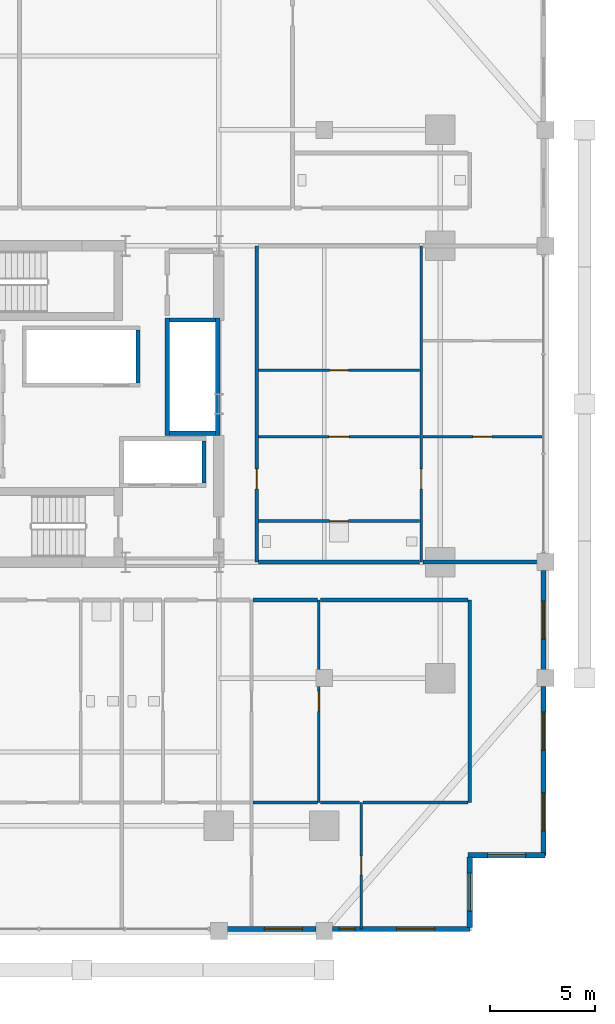
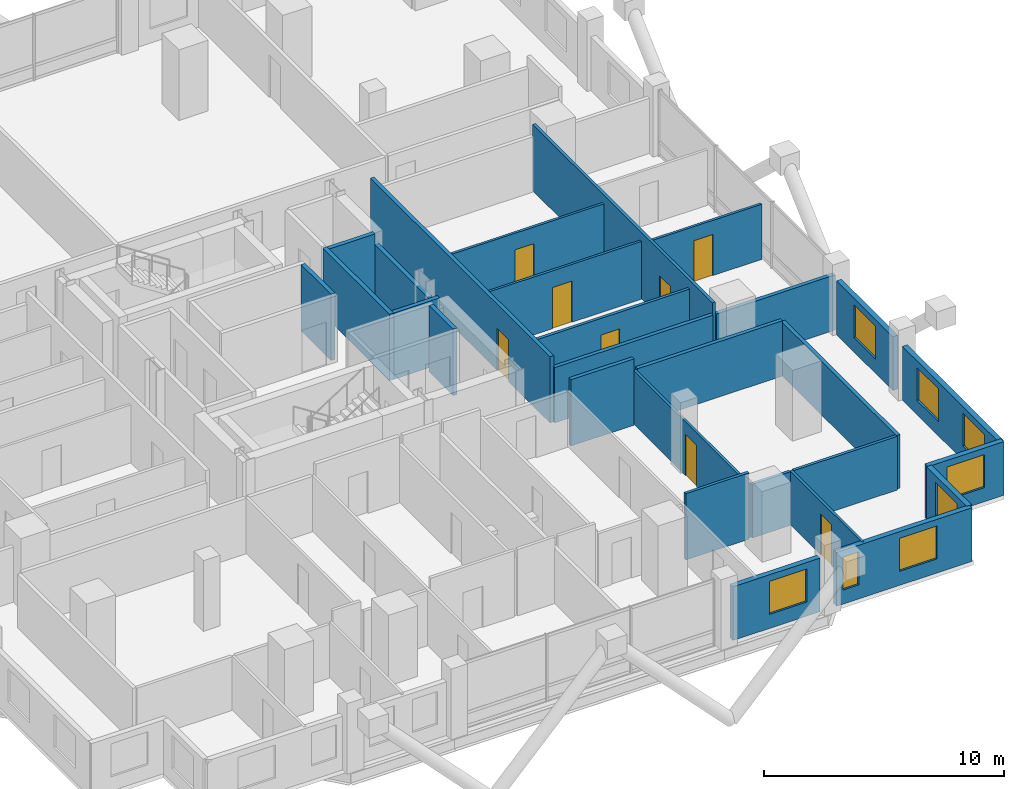
# One storey, part 19 of 23: 28 walls, 8 doors, 8 windows, 16 openings.
"""IFC4 building model written with IfcOpenShell, lengths in metres."""

from ifc_helpers import new_model, si_unit, direction, frame, frame_2d, origin, place, context, subcontext, project, spatial, rectangle, extrude, material, layer, layer_set, type_object, element, fill, save


model = new_model("IFC4")

# Units and contexts
model_context = context("Model", 3, precision=1e-05, world=origin(), true_north=direction((0.0, 1.0)))
body_context = subcontext(model_context, "Body", "Model", "MODEL_VIEW")
ifc_project = project(units=[si_unit("LENGTHUNIT", "METRE"), si_unit("AREAUNIT", "SQUARE_METRE"), si_unit("VOLUMEUNIT", "CUBIC_METRE"), si_unit("PLANEANGLEUNIT", "RADIAN"), si_unit("MASSUNIT", "GRAM", prefix="KILO")], contexts=[model_context])

# Site, building, storey
site_placement = place(None, origin())
site = spatial("IfcSite", under=ifc_project, at=site_placement, CompositionType="ELEMENT")
building_placement = place(site_placement, origin())
building = spatial("IfcBuilding", under=site, at=building_placement, Name="Barlavira Tower and Art Museum", CompositionType="ELEMENT")
storey_placement = place(building_placement, frame((0.0, 0.0, 36.0)))
storey = spatial("IfcBuildingStorey", under=building, at=storey_placement, Name="L07", CompositionType="ELEMENT", Elevation=36.0)

# Wall, opening, door
ifc_material_1 = material(Name="Gypsum acoustic stud partition", Category="gypsum")
ifc_layer_1 = layer(ifc_material_1, 0.1201171875, Name="Gypsum acoustic stud partition")
ifc_layer_set_1 = layer_set([ifc_layer_1], Name="Gypsum acoustic stud partition")
wall_type_1 = type_object("IfcWallType", Name="Apartment Internal Acoustic Partition 120", PredefinedType="PARTITIONING", material=ifc_layer_set_1)
wall_1_placement = place(storey_placement, frame((11.25, -18.89990234375, 0.0), z_axis=(0.0, 0.0, 1.0), x_axis=(0.0, 1.0, 0.0)))
wall_1 = element("IfcWall", 1, at=wall_1_placement, inside=storey, type_object=wall_type_1, Name="L07 Partition Wall 16", PredefinedType="PARTITIONING", context=body_context, shape_type="SweptSolid", body=[
    extrude(rectangle(XDim=9.599853515625, YDim=0.1201171875, at=frame_2d((4.7998046875, 0.0))), origin(), (0.0, 0.0, 1.0), 2.736083984375),
])
opening_1_placement = place(wall_1_placement, frame((4.324951171875, 0.0, 0.0)))
opening_1 = element("IfcOpeningElement", 2, at=opening_1_placement, cuts=wall_1, Name="Opening D-02", PredefinedType="OPENING", context=body_context, shape_type="SweptSolid", body=[
    extrude(rectangle(XDim=0.949951171875, YDim=2.10009765625, at=frame_2d((0.47509765625, 1.050048828125))), frame((0.0, 0.070068359375, 0.0), z_axis=(0.0, -1.0, 0.0), x_axis=(1.0, 0.0, 0.0)), (0.0, 0.0, 1.0), 0.14013671875),
])
ifc_material_2 = material(Name="Engineered coastal hardwood", Category="wood")
door_type_1 = type_object("IfcDoorType", Name="Living and Salon Glazed-Leaf Door 950x2100", OperationType="NOTDEFINED", PredefinedType="DOOR", material=ifc_material_2)
door_1_placement = place(opening_1_placement, origin())
door_1 = element("IfcDoor", 3, at=door_1_placement, inside=storey, type_object=door_type_1, Name="Apartment S2 Dining Salon Door", OperationType="SINGLE_SWING_LEFT", OverallHeight=2.10009765625, OverallWidth=0.949951171875, PredefinedType="DOOR", context=body_context, shape_type="SweptSolid", body=[
    extrude(rectangle(XDim=0.949951171875, YDim=2.10009765625, at=frame_2d((0.47509765625, 1.050048828125))), frame((0.0, 0.02490234375, 0.0), z_axis=(0.0, -1.0, 0.0), x_axis=(1.0, 0.0, 0.0)), (0.0, 0.0, 1.0), 0.050048828125),
])
fill(opening_1, door_1)

wall_2_placement = place(storey_placement, frame((13.25, -24.89990234375, 0.0), z_axis=(0.0, 0.0, 1.0), x_axis=(0.0, 1.0, 0.0)))
wall_2 = element("IfcWall", 4, at=wall_2_placement, inside=storey, type_object=wall_type_1, Name="L07 Partition Wall 17", PredefinedType="PARTITIONING", context=body_context, shape_type="SweptSolid", body=[
    extrude(rectangle(XDim=6.0, YDim=0.1201171875, at=frame_2d((3.0, 0.0))), origin(), (0.0, 0.0, 1.0), 2.736083984375),
])
opening_2_placement = place(wall_2_placement, frame((2.550048828125, 0.0, 0.0)))
opening_2 = element("IfcOpeningElement", 5, at=opening_2_placement, cuts=wall_2, Name="Opening D-01", PredefinedType="OPENING", context=body_context, shape_type="SweptSolid", body=[
    extrude(rectangle(XDim=0.89990234375, YDim=2.10009765625, at=frame_2d((0.449951171875, 1.050048828125))), frame((0.0, 0.070068359375, 0.0), z_axis=(0.0, -1.0, 0.0), x_axis=(1.0, 0.0, 0.0)), (0.0, 0.0, 1.0), 0.14013671875),
])
door_type_2 = type_object("IfcDoorType", Name="Internal Bedroom Timber Flush Door 900x2100", OperationType="NOTDEFINED", PredefinedType="DOOR", material=ifc_material_2)
door_2_placement = place(opening_2_placement, origin())
door_2 = element("IfcDoor", 6, at=door_2_placement, inside=storey, type_object=door_type_2, Name="Apartment S2 Bedroom 2 Door", OperationType="SINGLE_SWING_RIGHT", OverallHeight=2.10009765625, OverallWidth=0.89990234375, PredefinedType="DOOR", context=body_context, shape_type="SweptSolid", body=[
    extrude(rectangle(XDim=0.89990234375, YDim=2.10009765625, at=frame_2d((0.449951171875, 1.050048828125))), frame((0.0, 0.02490234375, 0.0), z_axis=(0.0, -1.0, 0.0), x_axis=(1.0, 0.0, 0.0)), (0.0, 0.0, 1.0), 0.050048828125),
])
fill(opening_2, door_2)

wall_3_placement = place(storey_placement, frame((8.3798828125, -1.550048828125, 0.0), z_axis=(0.0, 0.0, 1.0), x_axis=(1.0, 0.0, 0.0)))
wall_3 = element("IfcWall", 7, at=wall_3_placement, inside=storey, type_object=wall_type_1, Name="L07 Partition Wall 47", PredefinedType="PARTITIONING", context=body_context, shape_type="SweptSolid", body=[
    extrude(rectangle(XDim=7.64013671875, YDim=0.1201171875, at=frame_2d((3.820068359375, 0.0))), origin(), (0.0, 0.0, 1.0), 2.947998046875),
])
opening_3_placement = place(wall_3_placement, frame((3.344970703125, 0.0, 0.0)))
opening_3 = element("IfcOpeningElement", 8, at=opening_3_placement, cuts=wall_3, Name="Opening D-02", PredefinedType="OPENING", context=body_context, shape_type="SweptSolid", body=[
    extrude(rectangle(XDim=0.949951171875, YDim=2.10009765625, at=frame_2d((0.47509765625, 1.050048828125))), frame((0.0, 0.070068359375, 0.0), z_axis=(0.0, -1.0, 0.0), x_axis=(1.0, 0.0, 0.0)), (0.0, 0.0, 1.0), 0.14013671875),
])
door_3_placement = place(opening_3_placement, origin())
door_3 = element("IfcDoor", 9, at=door_3_placement, inside=storey, type_object=door_type_1, Name="Apartment E1 Kitchen Door", OperationType="SINGLE_SWING_LEFT", OverallHeight=2.10009765625, OverallWidth=0.949951171875, PredefinedType="DOOR", context=body_context, shape_type="SweptSolid", body=[
    extrude(rectangle(XDim=0.949951171875, YDim=2.10009765625, at=frame_2d((0.47509765625, 1.050048828125))), frame((0.0, 0.02490234375, 0.0), z_axis=(0.0, -1.0, 0.0), x_axis=(1.0, 0.0, 0.0)), (0.0, 0.0, 1.0), 0.050048828125),
])
fill(opening_3, door_3)

wall_4_placement = place(storey_placement, frame((16.179931640625, -1.550048828125, 0.0), z_axis=(0.0, 0.0, 1.0), x_axis=(1.0, 0.0, 0.0)))
wall_4 = element("IfcWall", 10, at=wall_4_placement, inside=storey, type_object=wall_type_1, Name="L07 Partition Wall 48", PredefinedType="PARTITIONING", context=body_context, shape_type="SweptSolid", body=[
    extrude(rectangle(XDim=5.64013671875, YDim=0.1201171875, at=frame_2d((2.820068359375, 0.0))), origin(), (0.0, 0.0, 1.0), 2.81591796875),
])
opening_4_placement = place(wall_4_placement, frame((2.3701171875, 0.0, 0.0)))
opening_4 = element("IfcOpeningElement", 11, at=opening_4_placement, cuts=wall_4, Name="Opening D-01", PredefinedType="OPENING", context=body_context, shape_type="SweptSolid", body=[
    extrude(rectangle(XDim=0.89990234375, YDim=2.10009765625, at=frame_2d((0.449951171875, 1.050048828125))), frame((0.0, 0.070068359375, 0.0), z_axis=(0.0, -1.0, 0.0), x_axis=(1.0, 0.0, 0.0)), (0.0, 0.0, 1.0), 0.14013671875),
])
door_4_placement = place(opening_4_placement, origin())
door_4 = element("IfcDoor", 12, at=door_4_placement, inside=storey, type_object=door_type_2, Name="Apartment E1 Bedroom 1 Door", OperationType="SINGLE_SWING_RIGHT", OverallHeight=2.10009765625, OverallWidth=0.89990234375, PredefinedType="DOOR", context=body_context, shape_type="SweptSolid", body=[
    extrude(rectangle(XDim=0.89990234375, YDim=2.10009765625, at=frame_2d((0.449951171875, 1.050048828125))), frame((0.0, 0.02490234375, 0.0), z_axis=(0.0, -1.0, 0.0), x_axis=(1.0, 0.0, 0.0)), (0.0, 0.0, 1.0), 0.050048828125),
])
fill(opening_4, door_4)

wall_5_placement = place(storey_placement, frame((8.3798828125, 1.60009765625, 0.0), z_axis=(0.0, 0.0, 1.0), x_axis=(1.0, 0.0, 0.0)))
wall_5 = element("IfcWall", 13, at=wall_5_placement, inside=storey, type_object=wall_type_1, Name="L07 Partition Wall 52", PredefinedType="PARTITIONING", context=body_context, shape_type="SweptSolid", body=[
    extrude(rectangle(XDim=7.64013671875, YDim=0.1201171875, at=frame_2d((3.820068359375, 0.0))), origin(), (0.0, 0.0, 1.0), 2.947998046875),
])
opening_5_placement = place(wall_5_placement, frame((3.3701171875, 0.0, 0.0)))
opening_5 = element("IfcOpeningElement", 14, at=opening_5_placement, cuts=wall_5, Name="Opening D-01", PredefinedType="OPENING", context=body_context, shape_type="SweptSolid", body=[
    extrude(rectangle(XDim=0.89990234375, YDim=2.10009765625, at=frame_2d((0.449951171875, 1.050048828125))), frame((0.0, 0.070068359375, 0.0), z_axis=(0.0, -1.0, 0.0), x_axis=(1.0, 0.0, 0.0)), (0.0, 0.0, 1.0), 0.14013671875),
])
door_5_placement = place(opening_5_placement, origin())
door_5 = element("IfcDoor", 15, at=door_5_placement, inside=storey, type_object=door_type_2, Name="Apartment E1 Walk-In Dressing Room Door", OperationType="SINGLE_SWING_RIGHT", OverallHeight=2.10009765625, OverallWidth=0.89990234375, PredefinedType="DOOR", context=body_context, shape_type="SweptSolid", body=[
    extrude(rectangle(XDim=0.89990234375, YDim=2.10009765625, at=frame_2d((0.449951171875, 1.050048828125))), frame((0.0, 0.02490234375, 0.0), z_axis=(0.0, -1.0, 0.0), x_axis=(1.0, 0.0, 0.0)), (0.0, 0.0, 1.0), 0.050048828125),
])
fill(opening_5, door_5)

# Walls
ifc_material_3 = material(Name="Autoclaved aerated concrete masonry", Category="masonry")
ifc_layer_2 = layer(ifc_material_3, 0.199951171875, Name="Autoclaved aerated concrete masonry")
ifc_layer_set_2 = layer_set([ifc_layer_2], Name="Autoclaved aerated concrete masonry")
wall_type_2 = type_object("IfcWallType", Name="Fire Compartment and Shaft Wall 200", PredefinedType="SOLIDWALL", material=ifc_layer_set_2)
wall_6_placement = place(storey_placement, frame((4.050048828125, -1.489990234375, 0.0), z_axis=(0.0, 0.0, 1.0), x_axis=(0.0, 1.0, 0.0)))
element("IfcWall", 16, at=wall_6_placement, inside=storey, type_object=wall_type_2, Name="L07 Mid-Rise Lift Front Shaft Wall", PredefinedType="SOLIDWALL", context=body_context, shape_type="SweptSolid", body=[
    extrude(rectangle(XDim=5.580078125, YDim=0.199951171875, at=frame_2d((2.7900390625, 0.0))), origin(), (0.0, 0.0, 1.0), 3.3798828125),
])
wall_7_placement = place(storey_placement, frame((6.449951171875, -1.489990234375, 0.0), z_axis=(0.0, 0.0, 1.0), x_axis=(0.0, 1.0, 0.0)))
element("IfcWall", 17, at=wall_7_placement, inside=storey, type_object=wall_type_2, Name="L07 Mid-Rise Lift Back Shaft Wall", PredefinedType="SOLIDWALL", context=body_context, shape_type="SweptSolid", body=[
    extrude(rectangle(XDim=5.580078125, YDim=0.199951171875, at=frame_2d((2.7900390625, 0.0))), origin(), (0.0, 0.0, 1.0), 2.81591796875),
])
for number, where, z_axis, x_axis, name in (
    (18, (4.14990234375, -1.389892578125, 0.0), (0.0, 0.0, 1.0), (1.0, 0.0, 0.0), "L07 Mid-Rise Lift South Shaft Wall"),
    (19, (4.14990234375, 3.989990234375, 0.0), (0.0, 0.0, 1.0), (1.0, 0.0, 0.0), "L07 Mid-Rise Lift North Shaft Wall"),
):
    element("IfcWall", number, at=place(storey_placement, frame(where, z_axis=z_axis, x_axis=x_axis)), inside=storey, type_object=wall_type_2, Name=name, PredefinedType="SOLIDWALL", context=body_context, shape_type="SweptSolid", body=[
        extrude(rectangle(XDim=2.2001953125, YDim=0.199951171875, at=frame_2d((1.10009765625, 0.0))), origin(), (0.0, 0.0, 1.0), 3.3798828125),
    ])
wall_8_placement = place(storey_placement, frame((2.659912109375, 1.0, 0.0), z_axis=(0.0, 0.0, 1.0), x_axis=(0.0, 1.0, 0.0)))
element("IfcWall", 20, at=wall_8_placement, inside=storey, type_object=wall_type_2, Name="L07 High-Rise & Service Lift East Wall", PredefinedType="SOLIDWALL", context=body_context, shape_type="SweptSolid", body=[
    extrude(rectangle(XDim=2.5, YDim=0.199951171875, at=frame_2d((1.25, 0.0))), origin(), (0.0, 0.0, 1.0), 3.3798828125),
])
wall_9_placement = place(storey_placement, frame((5.800048828125, -3.75, 0.0), z_axis=(0.0, 0.0, 1.0), x_axis=(0.0, 1.0, 0.0)))
element("IfcWall", 21, at=wall_9_placement, inside=storey, type_object=wall_type_2, Name="L07 Firefighting Lift East Shaft Wall", PredefinedType="SOLIDWALL", context=body_context, shape_type="SweptSolid", body=[
    extrude(rectangle(XDim=2.0, YDim=0.199951171875, at=frame_2d((1.0, 0.0))), origin(), (0.0, 0.0, 1.0), 3.3798828125),
])

# Wall, opening, door
ifc_layer_3 = layer(ifc_material_1, 0.179931640625, Name="Gypsum acoustic stud partition")
ifc_layer_set_3 = layer_set([ifc_layer_3], Name="Gypsum acoustic stud partition")
wall_type_3 = type_object("IfcWallType", Name="Inter-Tenancy Party Partition Wall 180", PredefinedType="PARTITIONING", material=ifc_layer_set_3)
wall_10_placement = place(storey_placement, frame((8.300048828125, -7.5, 0.0), z_axis=(0.0, 0.0, 1.0), x_axis=(0.0, 1.0, 0.0)))
wall_10 = element("IfcWall", 22, at=wall_10_placement, inside=storey, type_object=wall_type_3, Name="L07 Partition Wall 14", PredefinedType="PARTITIONING", context=body_context, shape_type="SweptSolid", body=[
    extrude(rectangle(XDim=15.0, YDim=0.179931640625, at=frame_2d((7.5, 0.0))), origin(), (0.0, 0.0, 1.0), 3.3798828125),
])
opening_6_placement = place(wall_10_placement, frame((3.47509765625, 0.0, 0.0)))
opening_6 = element("IfcOpeningElement", 23, at=opening_6_placement, cuts=wall_10, Name="Opening FD-60", PredefinedType="OPENING", context=body_context, shape_type="SweptSolid", body=[
    extrude(rectangle(XDim=0.949951171875, YDim=2.14990234375, at=frame_2d((0.47509765625, 1.074951171875))), frame((0.0, 0.10009765625, 0.0), z_axis=(0.0, -1.0, 0.0), x_axis=(1.0, 0.0, 0.0)), (0.0, 0.0, 1.0), 0.199951171875),
])
ifc_material_4 = material(Name="Brushed stainless steel", Category="steel")
door_type_3 = type_object("IfcDoorType", Name="Apartment Entrance and Riser Fire Door 950x2150 FD60S", OperationType="NOTDEFINED", PredefinedType="DOOR", material=ifc_material_4)
door_6_placement = place(opening_6_placement, origin())
door_6 = element("IfcDoor", 24, at=door_6_placement, inside=storey, type_object=door_type_3, Name="Apartment Entrance Hall E1 Door", OperationType="SINGLE_SWING_RIGHT", OverallHeight=2.14990234375, OverallWidth=0.949951171875, PredefinedType="DOOR", context=body_context, shape_type="SweptSolid", body=[
    extrude(rectangle(XDim=0.949951171875, YDim=2.14990234375, at=frame_2d((0.47509765625, 1.074951171875))), frame((0.0, 0.02490234375, 0.0), z_axis=(0.0, -1.0, 0.0), x_axis=(1.0, 0.0, 0.0)), (0.0, 0.0, 1.0), 0.050048828125),
])
fill(opening_6, door_6)

# Walls
wall_11_placement = place(storey_placement, frame((18.39990234375, -18.89990234375, 0.0), z_axis=(0.0, 0.0, 1.0), x_axis=(0.0, 1.0, 0.0)))
element("IfcWall", 25, at=wall_11_placement, inside=storey, type_object=wall_type_3, Name="L07 Partition Wall 19", PredefinedType="PARTITIONING", context=body_context, shape_type="SweptSolid", body=[
    extrude(rectangle(XDim=9.599853515625, YDim=0.179931640625, at=frame_2d((4.7998046875, 0.0))), origin(), (0.0, 0.0, 1.0), 2.736083984375),
])
wall_12_placement = place(storey_placement, frame((8.1298828125, -9.300048828125, 0.0), z_axis=(0.0, 0.0, 1.0), x_axis=(1.0, 0.0, 0.0)))
element("IfcWall", 26, at=wall_12_placement, inside=storey, type_object=wall_type_3, Name="L07 Partition Wall 38", PredefinedType="PARTITIONING", context=body_context, shape_type="SweptSolid", body=[
    extrude(rectangle(XDim=3.0400390625, YDim=0.179931640625, at=frame_2d((1.52001953125, 0.0))), origin(), (0.0, 0.0, 1.0), 3.3798828125),
])
wall_13_placement = place(storey_placement, frame((11.330078125, -9.300048828125, 0.0), z_axis=(0.0, 0.0, 1.0), x_axis=(1.0, 0.0, 0.0)))
element("IfcWall", 27, at=wall_13_placement, inside=storey, type_object=wall_type_3, Name="L07 Partition Wall 39", PredefinedType="PARTITIONING", context=body_context, shape_type="SweptSolid", body=[
    extrude(rectangle(XDim=6.989990234375, YDim=0.179931640625, at=frame_2d((3.4951171875, 0.0))), origin(), (0.0, 0.0, 1.0), 2.81591796875),
])
wall_14_placement = place(storey_placement, frame((8.3798828125, -7.5, 0.0), z_axis=(0.0, 0.0, 1.0), x_axis=(1.0, 0.0, 0.0)))
element("IfcWall", 28, at=wall_14_placement, inside=storey, type_object=wall_type_3, Name="L07 Partition Wall 42", PredefinedType="PARTITIONING", context=body_context, shape_type="SweptSolid", body=[
    extrude(rectangle(XDim=7.64013671875, YDim=0.179931640625, at=frame_2d((3.820068359375, 0.0))), origin(), (0.0, 0.0, 1.0), 2.81591796875),
])
wall_15_placement = place(storey_placement, frame((16.179931640625, -7.5, 0.0), z_axis=(0.0, 0.0, 1.0), x_axis=(1.0, 0.0, 0.0)))
element("IfcWall", 29, at=wall_15_placement, inside=storey, type_object=wall_type_3, Name="L07 Partition Wall 43", PredefinedType="PARTITIONING", context=body_context, shape_type="SweptSolid", body=[
    extrude(rectangle(XDim=5.719970703125, YDim=0.179931640625, at=frame_2d((2.85986328125, 0.0))), origin(), (0.0, 0.0, 1.0), 2.81591796875),
])

# Wall, opening, door
ifc_layer_4 = layer(ifc_material_1, 0.139892578125, Name="Gypsum acoustic stud partition")
ifc_layer_set_4 = layer_set([ifc_layer_4], Name="Gypsum acoustic stud partition")
wall_type_4 = type_object("IfcWallType", Name="Moisture-Resistant Bathroom Partition 140", PredefinedType="PARTITIONING", material=ifc_layer_set_4)
wall_16_placement = place(storey_placement, frame((16.10009765625, -7.5, 0.0), z_axis=(0.0, 0.0, 1.0), x_axis=(0.0, 1.0, 0.0)))
wall_16 = element("IfcWall", 30, at=wall_16_placement, inside=storey, type_object=wall_type_4, Name="L07 Partition Wall 18", PredefinedType="PARTITIONING", context=body_context, shape_type="SweptSolid", body=[
    extrude(rectangle(XDim=15.0, YDim=0.139892578125, at=frame_2d((7.5, 0.0))), origin(), (0.0, 0.0, 1.0), 3.3798828125),
])
opening_7_placement = place(wall_16_placement, frame((3.47509765625, 0.0, 0.0)))
opening_7 = element("IfcOpeningElement", 31, at=opening_7_placement, cuts=wall_16, Name="Opening D-02", PredefinedType="OPENING", context=body_context, shape_type="SweptSolid", body=[
    extrude(rectangle(XDim=0.949951171875, YDim=2.10009765625, at=frame_2d((0.47509765625, 1.050048828125))), frame((0.0, 0.080078125, 0.0), z_axis=(0.0, -1.0, 0.0), x_axis=(1.0, 0.0, 0.0)), (0.0, 0.0, 1.0), 0.159912109375),
])
door_7_placement = place(opening_7_placement, origin())
door_7 = element("IfcDoor", 32, at=door_7_placement, inside=storey, type_object=door_type_1, Name="Apartment E1 Living Lounge Door", OperationType="SINGLE_SWING_LEFT", OverallHeight=2.10009765625, OverallWidth=0.949951171875, PredefinedType="DOOR", context=body_context, shape_type="SweptSolid", body=[
    extrude(rectangle(XDim=0.949951171875, YDim=2.10009765625, at=frame_2d((0.47509765625, 1.050048828125))), frame((0.0, 0.02490234375, 0.0), z_axis=(0.0, -1.0, 0.0), x_axis=(1.0, 0.0, 0.0)), (0.0, 0.0, 1.0), 0.050048828125),
])
fill(opening_7, door_7)

# Walls
wall_17_placement = place(storey_placement, frame((8.1298828125, -18.89990234375, 0.0), z_axis=(0.0, 0.0, 1.0), x_axis=(1.0, 0.0, 0.0)))
element("IfcWall", 33, at=wall_17_placement, inside=storey, type_object=wall_type_4, Name="L07 Partition Wall 29", PredefinedType="PARTITIONING", context=body_context, shape_type="SweptSolid", body=[
    extrude(rectangle(XDim=3.0400390625, YDim=0.139892578125, at=frame_2d((1.52001953125, 0.0))), origin(), (0.0, 0.0, 1.0), 3.3798828125),
])
wall_18_placement = place(storey_placement, frame((11.330078125, -18.89990234375, 0.0), z_axis=(0.0, 0.0, 1.0), x_axis=(1.0, 0.0, 0.0)))
element("IfcWall", 34, at=wall_18_placement, inside=storey, type_object=wall_type_4, Name="L07 Partition Wall 30", PredefinedType="PARTITIONING", context=body_context, shape_type="SweptSolid", body=[
    extrude(rectangle(XDim=1.83984375, YDim=0.139892578125, at=frame_2d((0.919921875, 0.0))), origin(), (0.0, 0.0, 1.0), 2.736083984375),
])
wall_19_placement = place(storey_placement, frame((13.330078125, -18.89990234375, 0.0), z_axis=(0.0, 0.0, 1.0), x_axis=(1.0, 0.0, 0.0)))
element("IfcWall", 35, at=wall_19_placement, inside=storey, type_object=wall_type_4, Name="L07 Partition Wall 31", PredefinedType="PARTITIONING", context=body_context, shape_type="SweptSolid", body=[
    extrude(rectangle(XDim=4.989990234375, YDim=0.139892578125, at=frame_2d((2.4951171875, 0.0))), origin(), (0.0, 0.0, 1.0), 2.736083984375),
])

# Wall, opening, door
wall_20_placement = place(storey_placement, frame((8.3798828125, -5.550048828125, 0.0), z_axis=(0.0, 0.0, 1.0), x_axis=(1.0, 0.0, 0.0)))
wall_20 = element("IfcWall", 36, at=wall_20_placement, inside=storey, type_object=wall_type_4, Name="L07 Partition Wall 45", PredefinedType="PARTITIONING", context=body_context, shape_type="SweptSolid", body=[
    extrude(rectangle(XDim=7.64013671875, YDim=0.139892578125, at=frame_2d((3.820068359375, 0.0))), origin(), (0.0, 0.0, 1.0), 2.947998046875),
])
opening_8_placement = place(wall_20_placement, frame((3.3701171875, 0.0, 0.0)))
opening_8 = element("IfcOpeningElement", 37, at=opening_8_placement, cuts=wall_20, Name="Opening D-WC", PredefinedType="OPENING", context=body_context, shape_type="SweptSolid", body=[
    extrude(rectangle(XDim=0.89990234375, YDim=2.10009765625, at=frame_2d((0.449951171875, 1.050048828125))), frame((0.0, 0.080078125, 0.0), z_axis=(0.0, -1.0, 0.0), x_axis=(1.0, 0.0, 0.0)), (0.0, 0.0, 1.0), 0.159912109375),
])
door_type_4 = type_object("IfcDoorType", Name="Accessible Bathroom Flush Door 900x2100", OperationType="NOTDEFINED", PredefinedType="DOOR", material=ifc_material_2)
door_8_placement = place(opening_8_placement, origin())
door_8 = element("IfcDoor", 38, at=door_8_placement, inside=storey, type_object=door_type_4, Name="Apartment E1 Hall Bathroom Door", OperationType="SINGLE_SWING_LEFT", OverallHeight=2.10009765625, OverallWidth=0.89990234375, PredefinedType="DOOR", context=body_context, shape_type="SweptSolid", body=[
    extrude(rectangle(XDim=0.89990234375, YDim=2.10009765625, at=frame_2d((0.449951171875, 1.050048828125))), frame((0.0, 0.02490234375, 0.0), z_axis=(0.0, -1.0, 0.0), x_axis=(1.0, 0.0, 0.0)), (0.0, 0.0, 1.0), 0.050048828125),
])
fill(opening_8, door_8)

# Wall, opening, window
ifc_material_5 = material(Name="Precast concrete C40", Category="concrete")
ifc_layer_5 = layer(ifc_material_5, 0.25, Name="Precast concrete C40")
ifc_layer_set_5 = layer_set([ifc_layer_5], Name="Precast concrete C40")
wall_type_5 = type_object("IfcWallType", Name="Notched Corner Spandrel Wall 250 Precast Concrete C40", PredefinedType="SOLIDWALL", material=ifc_layer_set_5)
wall_21_placement = place(storey_placement, frame((6.89501953125, -24.89990234375, 0.0), z_axis=(0.0, 0.0, 1.0), x_axis=(1.0, 0.0, 0.0)))
wall_21 = element("IfcWall", 39, at=wall_21_placement, inside=storey, type_object=wall_type_5, Name="L07 Coastal Facade Pier Wall CW1-L07-S-4", PredefinedType="SOLIDWALL", context=body_context, shape_type="SweptSolid", body=[
    extrude(rectangle(XDim=4.2099609375, YDim=0.25, at=frame_2d((2.10498046875, 0.0))), origin(), (0.0, 0.0, 1.0), 2.736083984375),
])
opening_9_placement = place(wall_21_placement, frame((1.77001953125, 0.0, 0.719970703125)))
opening_9 = element("IfcOpeningElement", 40, at=opening_9_placement, cuts=wall_21, Name="Opening WN-01", PredefinedType="OPENING", context=body_context, shape_type="SweptSolid", body=[
    extrude(rectangle(XDim=1.800048828125, YDim=1.679931640625, at=frame_2d((0.89990234375, 0.83984375))), frame((0.0, 0.135009765625, 0.0), z_axis=(0.0, -1.0, 0.0), x_axis=(1.0, 0.0, 0.0)), (0.0, 0.0, 1.0), 0.27001953125),
])
ifc_material_6 = material(Name="Low-iron coastal laminated glass", Category="glass")
window_type_1 = type_object("IfcWindowType", Name="Recessed Notch Corner Punch Window 1800x1680", PartitioningType="SINGLE_PANEL", PredefinedType="WINDOW", material=ifc_material_6)
window_1_placement = place(opening_9_placement, origin())
window_1 = element("IfcWindow", 41, at=window_1_placement, inside=storey, type_object=window_type_1, Name="L07 Punched Facade Window EWP-CW1-L07-S-4-1", OverallHeight=1.679931640625, OverallWidth=1.800048828125, PartitioningType="SINGLE_PANEL", PredefinedType="WINDOW", context=body_context, shape_type="SweptSolid", body=[
    extrude(rectangle(XDim=1.800048828125, YDim=1.679931640625, at=frame_2d((0.89990234375, 0.83984375))), frame((0.0, 0.030029296875, 0.0), z_axis=(0.0, -1.0, 0.0), x_axis=(1.0, 0.0, 0.0)), (0.0, 0.0, 1.0), 0.06005859375),
])
fill(opening_9, window_1)

# Wall, openings, windows
wall_22_placement = place(storey_placement, frame((11.89501953125, -24.89990234375, 0.0), z_axis=(0.0, 0.0, 1.0), x_axis=(1.0, 0.0, 0.0)))
wall_22 = element("IfcWall", 42, at=wall_22_placement, inside=storey, type_object=wall_type_5, Name="L07 Coastal Facade Pier Wall CW1-L07-S-5", PredefinedType="SOLIDWALL", context=body_context, shape_type="SweptSolid", body=[
    extrude(rectangle(XDim=6.530029296875, YDim=0.25, at=frame_2d((3.26513671875, 0.0))), origin(), (0.0, 0.0, 1.0), 2.736083984375),
])
opening_10_placement = place(wall_22_placement, frame((0.31494140625, 0.0, 0.719970703125)))
opening_10 = element("IfcOpeningElement", 43, at=opening_10_placement, cuts=wall_22, Name="Opening WN-06", PredefinedType="OPENING", context=body_context, shape_type="SweptSolid", body=[
    extrude(rectangle(XDim=0.760009765625, YDim=1.679931640625, at=frame_2d((0.3798828125, 0.83984375))), frame((0.0, 0.135009765625, 0.0), z_axis=(0.0, -1.0, 0.0), x_axis=(1.0, 0.0, 0.0)), (0.0, 0.0, 1.0), 0.27001953125),
])
opening_11_placement = place(wall_22_placement, frame((3.0380859375, 0.0, 0.719970703125)))
opening_11 = element("IfcOpeningElement", 44, at=opening_11_placement, cuts=wall_22, Name="Opening WN-01", PredefinedType="OPENING", context=body_context, shape_type="SweptSolid", body=[
    extrude(rectangle(XDim=1.800048828125, YDim=1.679931640625, at=frame_2d((0.89990234375, 0.83984375))), frame((0.0, 0.135009765625, 0.0), z_axis=(0.0, -1.0, 0.0), x_axis=(1.0, 0.0, 0.0)), (0.0, 0.0, 1.0), 0.27001953125),
])
window_type_2 = type_object("IfcWindowType", Name="Recessed Narrow Pier Window 760x1680", PartitioningType="SINGLE_PANEL", PredefinedType="WINDOW", material=ifc_material_6)
window_2_placement = place(opening_10_placement, origin())
window_2 = element("IfcWindow", 45, at=window_2_placement, inside=storey, type_object=window_type_2, Name="L07 Punched Facade Window EWP-CW1-L07-S-5-1", OverallHeight=1.679931640625, OverallWidth=0.760009765625, PartitioningType="SINGLE_PANEL", PredefinedType="WINDOW", context=body_context, shape_type="SweptSolid", body=[
    extrude(rectangle(XDim=0.760009765625, YDim=1.679931640625, at=frame_2d((0.3798828125, 0.83984375))), frame((0.0, 0.030029296875, 0.0), z_axis=(0.0, -1.0, 0.0), x_axis=(1.0, 0.0, 0.0)), (0.0, 0.0, 1.0), 0.06005859375),
])
fill(opening_10, window_2)
window_3_placement = place(opening_11_placement, origin())
window_3 = element("IfcWindow", 46, at=window_3_placement, inside=storey, type_object=window_type_1, Name="L07 Punched Facade Window EWP-CW1-L07-S-5-2", OverallHeight=1.679931640625, OverallWidth=1.800048828125, PartitioningType="SINGLE_PANEL", PredefinedType="WINDOW", context=body_context, shape_type="SweptSolid", body=[
    extrude(rectangle(XDim=1.800048828125, YDim=1.679931640625, at=frame_2d((0.89990234375, 0.83984375))), frame((0.0, 0.030029296875, 0.0), z_axis=(0.0, -1.0, 0.0), x_axis=(1.0, 0.0, 0.0)), (0.0, 0.0, 1.0), 0.06005859375),
])
fill(opening_11, window_3)

wall_23_placement = place(storey_placement, frame((21.89990234375, -21.425048828125, 0.0), z_axis=(0.0, 0.0, 1.0), x_axis=(0.0, 1.0, 0.0)))
wall_23 = element("IfcWall", 47, at=wall_23_placement, inside=storey, type_object=wall_type_5, Name="L07 Coastal Facade Pier Wall CW1-L07-E-1", PredefinedType="SOLIDWALL", context=body_context, shape_type="SweptSolid", body=[
    extrude(rectangle(XDim=8.030029296875, YDim=0.25, at=frame_2d((4.01513671875, 0.0))), origin(), (0.0, 0.0, 1.0), 2.736083984375),
])
opening_12_placement = place(wall_23_placement, frame((1.176025390625, 0.0, 0.719970703125)))
opening_12 = element("IfcOpeningElement", 48, at=opening_12_placement, cuts=wall_23, Name="Opening WN-01", PredefinedType="OPENING", context=body_context, shape_type="SweptSolid", body=[
    extrude(rectangle(XDim=1.800048828125, YDim=1.679931640625, at=frame_2d((0.89990234375, 0.83984375))), frame((0.0, 0.135009765625, 0.0), z_axis=(0.0, -1.0, 0.0), x_axis=(1.0, 0.0, 0.0)), (0.0, 0.0, 1.0), 0.27001953125),
])
opening_13_placement = place(wall_23_placement, frame((5.009033203125, 0.0, 0.719970703125)))
opening_13 = element("IfcOpeningElement", 49, at=opening_13_placement, cuts=wall_23, Name="Opening WN-01", PredefinedType="OPENING", context=body_context, shape_type="SweptSolid", body=[
    extrude(rectangle(XDim=1.800048828125, YDim=1.679931640625, at=frame_2d((0.89990234375, 0.83984375))), frame((0.0, 0.135009765625, 0.0), z_axis=(0.0, -1.0, 0.0), x_axis=(1.0, 0.0, 0.0)), (0.0, 0.0, 1.0), 0.27001953125),
])
window_4_placement = place(opening_12_placement, origin())
window_4 = element("IfcWindow", 50, at=window_4_placement, inside=storey, type_object=window_type_1, Name="L07 Punched Facade Window EWP-CW1-L07-E-1-1", OverallHeight=1.679931640625, OverallWidth=1.800048828125, PartitioningType="SINGLE_PANEL", PredefinedType="WINDOW", context=body_context, shape_type="SweptSolid", body=[
    extrude(rectangle(XDim=1.800048828125, YDim=1.679931640625, at=frame_2d((0.89990234375, 0.83984375))), frame((0.0, 0.030029296875, 0.0), z_axis=(0.0, -1.0, 0.0), x_axis=(1.0, 0.0, 0.0)), (0.0, 0.0, 1.0), 0.06005859375),
])
fill(opening_12, window_4)
window_5_placement = place(opening_13_placement, origin())
window_5 = element("IfcWindow", 51, at=window_5_placement, inside=storey, type_object=window_type_1, Name="L07 Punched Facade Window EWP-CW1-L07-E-1-2", OverallHeight=1.679931640625, OverallWidth=1.800048828125, PartitioningType="SINGLE_PANEL", PredefinedType="WINDOW", context=body_context, shape_type="SweptSolid", body=[
    extrude(rectangle(XDim=1.800048828125, YDim=1.679931640625, at=frame_2d((0.89990234375, 0.83984375))), frame((0.0, 0.030029296875, 0.0), z_axis=(0.0, -1.0, 0.0), x_axis=(1.0, 0.0, 0.0)), (0.0, 0.0, 1.0), 0.06005859375),
])
fill(opening_13, window_5)

# Wall, opening, window
wall_24_placement = place(storey_placement, frame((21.89990234375, -12.60498046875, 0.0), z_axis=(0.0, 0.0, 1.0), x_axis=(0.0, 1.0, 0.0)))
wall_24 = element("IfcWall", 52, at=wall_24_placement, inside=storey, type_object=wall_type_5, Name="L07 Coastal Facade Pier Wall CW1-L07-E-2", PredefinedType="SOLIDWALL", context=body_context, shape_type="SweptSolid", body=[
    extrude(rectangle(XDim=4.7099609375, YDim=0.25, at=frame_2d((2.35498046875, 0.0))), origin(), (0.0, 0.0, 1.0), 2.736083984375),
])
opening_14_placement = place(wall_24_placement, frame((1.455078125, 0.0, 0.719970703125)))
opening_14 = element("IfcOpeningElement", 53, at=opening_14_placement, cuts=wall_24, Name="Opening WN-01", PredefinedType="OPENING", context=body_context, shape_type="SweptSolid", body=[
    extrude(rectangle(XDim=1.800048828125, YDim=1.679931640625, at=frame_2d((0.89990234375, 0.83984375))), frame((0.0, 0.135009765625, 0.0), z_axis=(0.0, -1.0, 0.0), x_axis=(1.0, 0.0, 0.0)), (0.0, 0.0, 1.0), 0.27001953125),
])
window_6_placement = place(opening_14_placement, origin())
window_6 = element("IfcWindow", 54, at=window_6_placement, inside=storey, type_object=window_type_1, Name="L07 Punched Facade Window EWP-CW1-L07-E-2-1", OverallHeight=1.679931640625, OverallWidth=1.800048828125, PartitioningType="SINGLE_PANEL", PredefinedType="WINDOW", context=body_context, shape_type="SweptSolid", body=[
    extrude(rectangle(XDim=1.800048828125, YDim=1.679931640625, at=frame_2d((0.89990234375, 0.83984375))), frame((0.0, 0.030029296875, 0.0), z_axis=(0.0, -1.0, 0.0), x_axis=(1.0, 0.0, 0.0)), (0.0, 0.0, 1.0), 0.06005859375),
])
fill(opening_14, window_6)

wall_25_placement = place(storey_placement, frame((18.39990234375, -24.820068359375, 0.0), z_axis=(0.0, 0.0, 1.0), x_axis=(0.0, 1.0, 0.0)))
wall_25 = element("IfcWall", 55, at=wall_25_placement, inside=storey, type_object=wall_type_5, Name="L07 Notch Corner Wall SE1", PredefinedType="SOLIDWALL", context=body_context, shape_type="SweptSolid", body=[
    extrude(rectangle(XDim=3.340087890625, YDim=0.25, at=frame_2d((1.669921875, 0.0))), origin(), (0.0, 0.0, 1.0), 2.736083984375),
])
opening_15_placement = place(wall_25_placement, frame((0.77001953125, 0.0, 0.719970703125)))
opening_15 = element("IfcOpeningElement", 56, at=opening_15_placement, cuts=wall_25, Name="Opening WN-01", PredefinedType="OPENING", context=body_context, shape_type="SweptSolid", body=[
    extrude(rectangle(XDim=1.800048828125, YDim=1.679931640625, at=frame_2d((0.89990234375, 0.83984375))), frame((0.0, 0.135009765625, 0.0), z_axis=(0.0, -1.0, 0.0), x_axis=(1.0, 0.0, 0.0)), (0.0, 0.0, 1.0), 0.27001953125),
])
window_7_placement = place(opening_15_placement, origin())
window_7 = element("IfcWindow", 57, at=window_7_placement, inside=storey, type_object=window_type_1, Name="L07 Punched Facade Window EW-NTC-L07-SE1-1", OverallHeight=1.679931640625, OverallWidth=1.800048828125, PartitioningType="SINGLE_PANEL", PredefinedType="WINDOW", context=body_context, shape_type="SweptSolid", body=[
    extrude(rectangle(XDim=1.800048828125, YDim=1.679931640625, at=frame_2d((0.89990234375, 0.83984375))), frame((0.0, 0.030029296875, 0.0), z_axis=(0.0, -1.0, 0.0), x_axis=(1.0, 0.0, 0.0)), (0.0, 0.0, 1.0), 0.06005859375),
])
fill(opening_15, window_7)

wall_26_placement = place(storey_placement, frame((18.320068359375, -21.39990234375, 0.0), z_axis=(0.0, 0.0, 1.0), x_axis=(1.0, 0.0, 0.0)))
wall_26 = element("IfcWall", 58, at=wall_26_placement, inside=storey, type_object=wall_type_5, Name="L07 Notch Corner Wall SE2", PredefinedType="SOLIDWALL", context=body_context, shape_type="SweptSolid", body=[
    extrude(rectangle(XDim=3.659912109375, YDim=0.25, at=frame_2d((1.830078125, 0.0))), origin(), (0.0, 0.0, 1.0), 2.736083984375),
])
opening_16_placement = place(wall_26_placement, frame((0.929931640625, 0.0, 0.719970703125)))
opening_16 = element("IfcOpeningElement", 59, at=opening_16_placement, cuts=wall_26, Name="Opening WN-01", PredefinedType="OPENING", context=body_context, shape_type="SweptSolid", body=[
    extrude(rectangle(XDim=1.800048828125, YDim=1.679931640625, at=frame_2d((0.89990234375, 0.83984375))), frame((0.0, 0.135009765625, 0.0), z_axis=(0.0, -1.0, 0.0), x_axis=(1.0, 0.0, 0.0)), (0.0, 0.0, 1.0), 0.27001953125),
])
window_8_placement = place(opening_16_placement, origin())
window_8 = element("IfcWindow", 60, at=window_8_placement, inside=storey, type_object=window_type_1, Name="L07 Punched Facade Window EW-NTC-L07-SE2-1", OverallHeight=1.679931640625, OverallWidth=1.800048828125, PartitioningType="SINGLE_PANEL", PredefinedType="WINDOW", context=body_context, shape_type="SweptSolid", body=[
    extrude(rectangle(XDim=1.800048828125, YDim=1.679931640625, at=frame_2d((0.89990234375, 0.83984375))), frame((0.0, 0.030029296875, 0.0), z_axis=(0.0, -1.0, 0.0), x_axis=(1.0, 0.0, 0.0)), (0.0, 0.0, 1.0), 0.06005859375),
])
fill(opening_16, window_8)

save(model, "model.ifc")
